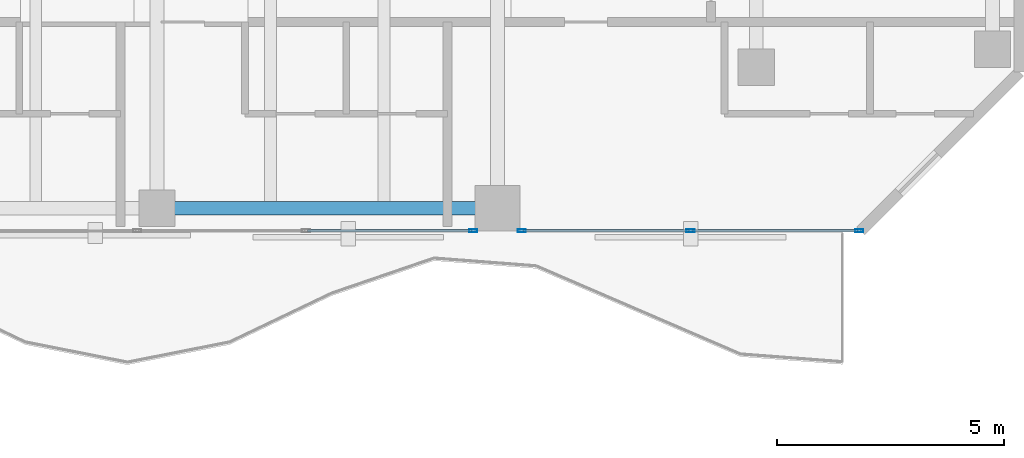
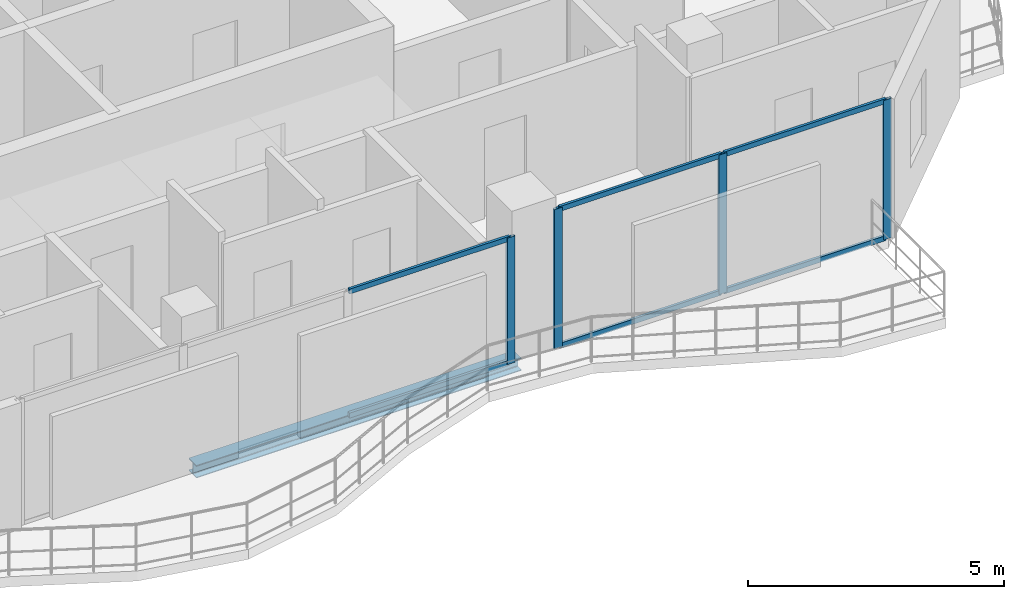
# One storey, part 12 of 23: 10 members, 1 beam, 2 elements without a shape of their own.
"""IFC4 building model written with IfcOpenShell, lengths in metres."""

from ifc_helpers import new_model, si_unit, direction, frame, origin, origin_2d, place, context, subcontext, project, spatial, hollow_rectangle, i_section, extrude, material, layer, layer_set, material_profile, profile_set, type_object, element, aggregate, save


model = new_model("IFC4")

# Units and contexts
model_context = context("Model", 3, precision=1e-05, world=origin(), true_north=direction((0.0, 1.0)))
body_context = subcontext(model_context, "Body", "Model", "MODEL_VIEW")
ifc_project = project(units=[si_unit("LENGTHUNIT", "METRE"), si_unit("AREAUNIT", "SQUARE_METRE"), si_unit("VOLUMEUNIT", "CUBIC_METRE"), si_unit("PLANEANGLEUNIT", "RADIAN"), si_unit("MASSUNIT", "GRAM", prefix="KILO")], contexts=[model_context])

# Site, building, storey
site_placement = place(None, origin())
site = spatial("IfcSite", under=ifc_project, at=site_placement, CompositionType="ELEMENT")
building_placement = place(site_placement, origin())
building = spatial("IfcBuilding", under=site, at=building_placement, Name="Catumbela Crestline Tower", CompositionType="ELEMENT")
storey_placement = place(building_placement, frame((0.0, 0.0, 183.0)))
storey = spatial("IfcBuildingStorey", under=building, at=storey_placement, Name="L47", CompositionType="ELEMENT", Elevation=183.0)

# Curtain wall, member
ifc_material_1 = material(Name="Aluminium alloy AW-6060-T66", Category="aluminium")
ifc_layer = layer(ifc_material_1, 0.18, Name="Aluminium alloy AW-6060-T66")
ifc_layer_set = layer_set([ifc_layer], Name="Aluminium alloy AW-6060-T66")
curtain_wall_type = type_object("IfcCurtainWallType", Name="CWU-Z3", PredefinedType="USERDEFINED", material=ifc_layer_set)
curtain_wall_1_placement = place(storey_placement, origin())
curtain_wall_1 = element("IfcCurtainWall", 1, at=curtain_wall_1_placement, inside=storey, type_object=curtain_wall_type, Name="L47 Unitised Curtain Wall CW-L47-E3S2", ObjectType="UNITISED", PredefinedType="USERDEFINED")
ifc_material_profile_1 = material_profile(ifc_material_1, hollow_rectangle(XDim=0.065, YDim=0.18, WallThickness=0.004, at=origin_2d()), Name="ALU 180x65x4")
ifc_profile_set_1 = profile_set([ifc_material_profile_1], Name="Aluminium alloy AW-6060-T66")
member_type_1 = type_object("IfcMemberType", Name="MUL-180X65", PredefinedType="MULLION", material=ifc_profile_set_1)
member_1_placement = place(storey_placement, frame((38.9675, 24.0, 0.0), z_axis=(0.0, 0.0, 1.0), x_axis=(0.0, 1.0, 0.0)))
member_1 = element("IfcMember", 2, at=member_1_placement, type_object=member_type_1, Name="CWU-Z3 mullion 4", PredefinedType="MULLION", context=body_context, shape_type="SweptSolid", body=[
    extrude(hollow_rectangle(XDim=0.065, YDim=0.18, WallThickness=0.004, at=origin_2d()), origin(), (0.0, 0.0, 1.0), 3.02),
])

# Curtain wall, members
curtain_wall_2_placement = place(storey_placement, origin())
curtain_wall_2 = element("IfcCurtainWall", 3, at=curtain_wall_2_placement, inside=storey, type_object=curtain_wall_type, Name="L47 Unitised Curtain Wall CW-L47-E3S3", ObjectType="UNITISED", PredefinedType="USERDEFINED")
member_2_placement = place(storey_placement, frame((40.0325, 24.0, 0.0), z_axis=(0.0, 0.0, 1.0), x_axis=(0.0, 1.0, 0.0)))
member_2 = element("IfcMember", 4, at=member_2_placement, type_object=member_type_1, Name="CWU-Z3 mullion 1", PredefinedType="MULLION", context=body_context, shape_type="SweptSolid", body=[
    extrude(hollow_rectangle(XDim=0.065, YDim=0.18, WallThickness=0.004, at=origin_2d()), origin(), (0.0, 0.0, 1.0), 3.33),
])
member_3_placement = place(storey_placement, frame((43.75, 24.0, 0.0), z_axis=(0.0, 0.0, 1.0), x_axis=(0.0, 1.0, 0.0)))
member_3 = element("IfcMember", 5, at=member_3_placement, type_object=member_type_1, Name="CWU-Z3 mullion 2", PredefinedType="MULLION", context=body_context, shape_type="SweptSolid", body=[
    extrude(hollow_rectangle(XDim=0.065, YDim=0.18, WallThickness=0.004, at=origin_2d()), origin(), (0.0, 0.0, 1.0), 3.33),
])
member_4_placement = place(storey_placement, frame((47.4675, 24.0, 0.0), z_axis=(0.0, 0.0, 1.0), x_axis=(0.0, 1.0, 0.0)))
member_4 = element("IfcMember", 6, at=member_4_placement, type_object=member_type_1, Name="CWU-Z3 mullion 3", PredefinedType="MULLION", context=body_context, shape_type="SweptSolid", body=[
    extrude(hollow_rectangle(XDim=0.065, YDim=0.18, WallThickness=0.004, at=origin_2d()), origin(), (0.0, 0.0, 1.0), 3.33),
])

# Beam
ifc_material_2 = material(Name="Structural steel S355J2", Category="steel")
ifc_material_profile_2 = material_profile(ifc_material_2, i_section(OverallWidth=0.3, OverallDepth=0.3, WebThickness=0.011, FlangeThickness=0.019, FilletRadius=0.027, at=origin_2d()), Name="HEB 300")
ifc_profile_set_2 = profile_set([ifc_material_profile_2], Name="Structural steel S355J2")
beam_type = type_object("IfcBeamType", Name="BS-HEB300", PredefinedType="SPANDREL", material=ifc_profile_set_2)
beam_placement = place(storey_placement, frame((32.08, 24.5, -0.41), z_axis=(1.0, 0.0, 0.0), x_axis=(0.0, 1.0, 0.0)))
element("IfcBeam", 7, at=beam_placement, inside=storey, type_object=beam_type, Name="L47 Spandrel SP-L47-S05", PredefinedType="SPANDREL", context=body_context, shape_type="SweptSolid", body=[
    extrude(i_section(OverallWidth=0.3, OverallDepth=0.3, WebThickness=0.011, FlangeThickness=0.019, FilletRadius=0.027, at=origin_2d()), origin(), (0.0, 0.0, 1.0), 7.34),
])

# Member
ifc_material_profile_3 = material_profile(ifc_material_1, hollow_rectangle(XDim=0.06, YDim=0.12, WallThickness=0.0035, at=origin_2d()), Name="ALU 120x60x3.5")
ifc_profile_set_3 = profile_set([ifc_material_profile_3], Name="Aluminium alloy AW-6060-T66")
member_type_2 = type_object("IfcMemberType", Name="TRN-120X60", PredefinedType="USERDEFINED", material=ifc_profile_set_3)
member_5_placement = place(storey_placement, frame((35.3158, 24.0, 0.03), z_axis=(1.0, 0.0, 0.0), x_axis=(0.0, 1.0, 0.0)))
member_5 = element("IfcMember", 8, at=member_5_placement, type_object=member_type_2, Name="CWU-Z3 transom 3.1", ObjectType="TRANSOM", PredefinedType="USERDEFINED", context=body_context, shape_type="SweptSolid", body=[
    extrude(hollow_rectangle(XDim=0.06, YDim=0.12, WallThickness=0.0035, at=origin_2d()), origin(), (0.0, 0.0, 1.0), 3.6192),
])

member_6_placement = place(storey_placement, frame((35.3158, 24.0, 2.99), z_axis=(1.0, 0.0, 0.0), x_axis=(0.0, 1.0, 0.0)))
member_6 = element("IfcMember", 9, at=member_6_placement, type_object=member_type_2, Name="CWU-Z3 transom 3.2", ObjectType="TRANSOM", PredefinedType="USERDEFINED", context=body_context, shape_type="SweptSolid", body=[
    extrude(hollow_rectangle(XDim=0.06, YDim=0.12, WallThickness=0.0035, at=origin_2d()), origin(), (0.0, 0.0, 1.0), 3.6192),
])

aggregate(curtain_wall_1, [member_1, member_5, member_6])

member_7_placement = place(storey_placement, frame((40.065, 24.0, 0.03), z_axis=(1.0, 0.0, 0.0), x_axis=(0.0, 1.0, 0.0)))
member_7 = element("IfcMember", 10, at=member_7_placement, type_object=member_type_2, Name="CWU-Z3 transom 1.1", ObjectType="TRANSOM", PredefinedType="USERDEFINED", context=body_context, shape_type="SweptSolid", body=[
    extrude(hollow_rectangle(XDim=0.06, YDim=0.12, WallThickness=0.0035, at=origin_2d()), origin(), (0.0, 0.0, 1.0), 3.6525),
])

member_8_placement = place(storey_placement, frame((40.065, 24.0, 3.3), z_axis=(1.0, 0.0, 0.0), x_axis=(0.0, 1.0, 0.0)))
member_8 = element("IfcMember", 11, at=member_8_placement, type_object=member_type_2, Name="CWU-Z3 transom 1.2", ObjectType="TRANSOM", PredefinedType="USERDEFINED", context=body_context, shape_type="SweptSolid", body=[
    extrude(hollow_rectangle(XDim=0.06, YDim=0.12, WallThickness=0.0035, at=origin_2d()), origin(), (0.0, 0.0, 1.0), 3.6525),
])

member_9_placement = place(storey_placement, frame((43.7825, 24.0, 0.03), z_axis=(1.0, 0.0, 0.0), x_axis=(0.0, 1.0, 0.0)))
member_9 = element("IfcMember", 12, at=member_9_placement, type_object=member_type_2, Name="CWU-Z3 transom 2.1", ObjectType="TRANSOM", PredefinedType="USERDEFINED", context=body_context, shape_type="SweptSolid", body=[
    extrude(hollow_rectangle(XDim=0.06, YDim=0.12, WallThickness=0.0035, at=origin_2d()), origin(), (0.0, 0.0, 1.0), 3.6525),
])

member_10_placement = place(storey_placement, frame((43.7825, 24.0, 3.3), z_axis=(1.0, 0.0, 0.0), x_axis=(0.0, 1.0, 0.0)))
member_10 = element("IfcMember", 13, at=member_10_placement, type_object=member_type_2, Name="CWU-Z3 transom 2.2", ObjectType="TRANSOM", PredefinedType="USERDEFINED", context=body_context, shape_type="SweptSolid", body=[
    extrude(hollow_rectangle(XDim=0.06, YDim=0.12, WallThickness=0.0035, at=origin_2d()), origin(), (0.0, 0.0, 1.0), 3.6525),
])

aggregate(curtain_wall_2, [member_2, member_3, member_4, member_7, member_8, member_9, member_10])

save(model, "model.ifc")
